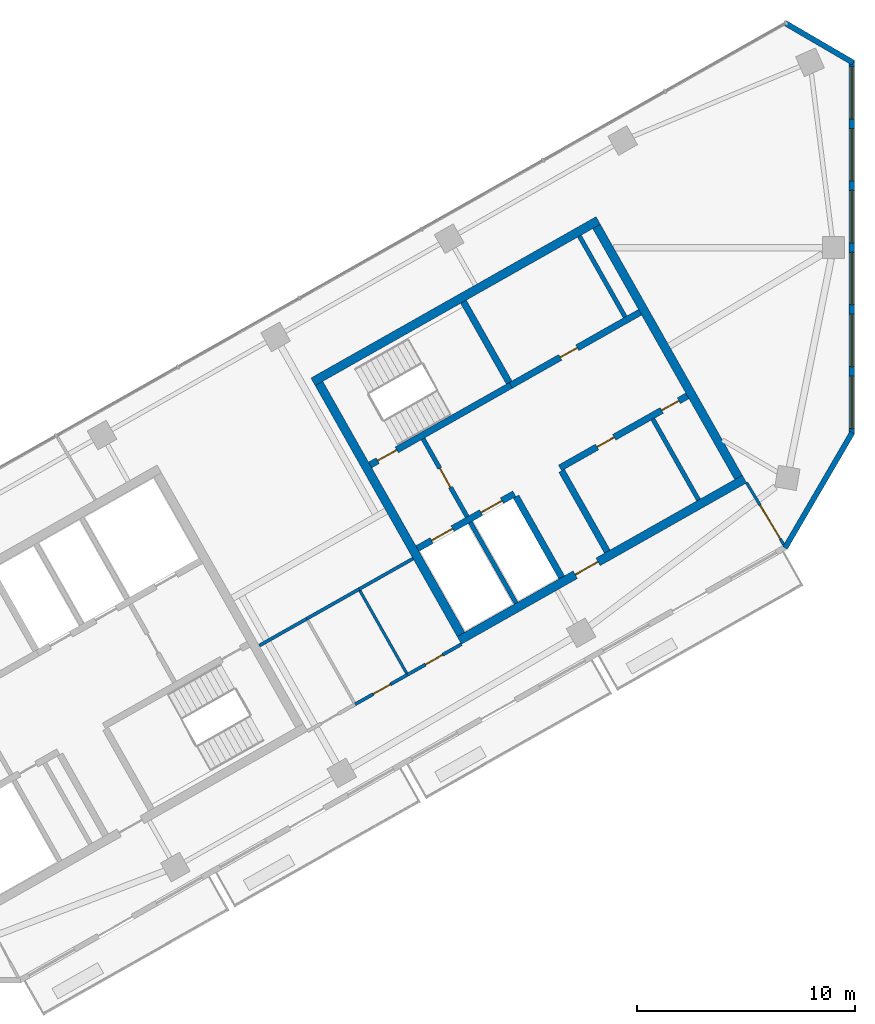
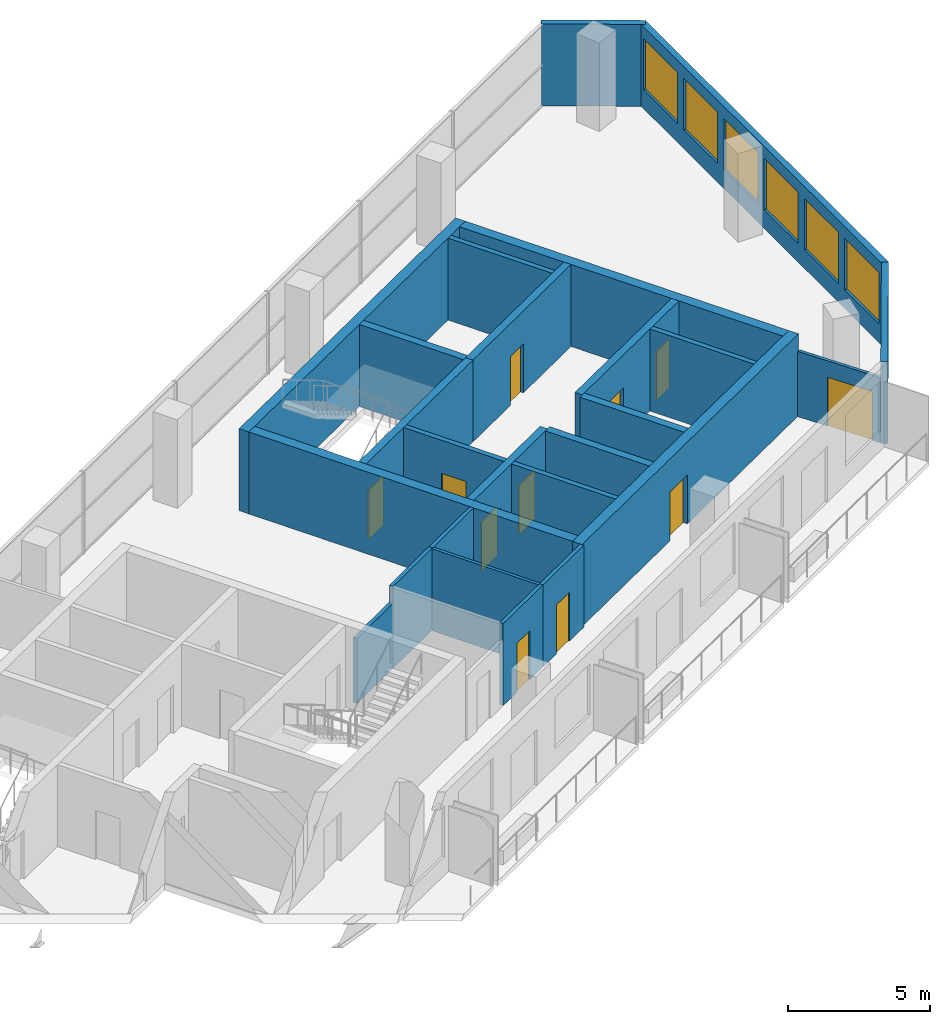
# One storey, part 7 of 10: 25 walls, 11 doors, 6 windows, 17 openings.
"""IFC4 building model written with IfcOpenShell, lengths in metres."""

from ifc_helpers import new_model, si_unit, direction, frame, frame_2d, origin, place, context, subcontext, project, spatial, rectangle, extrude, material, layer, layer_set, type_object, element, fill, save


model = new_model("IFC4")

# Units and contexts
model_context = context("Model", 3, precision=1e-05, world=origin(), true_north=direction((0.0, 1.0)))
body_context = subcontext(model_context, "Body", "Model", "MODEL_VIEW")
ifc_project = project(units=[si_unit("LENGTHUNIT", "METRE"), si_unit("AREAUNIT", "SQUARE_METRE"), si_unit("VOLUMEUNIT", "CUBIC_METRE"), si_unit("PLANEANGLEUNIT", "RADIAN"), si_unit("MASSUNIT", "GRAM", prefix="KILO")], contexts=[model_context])

# Site, building, storey
site_placement = place(None, origin())
site = spatial("IfcSite", under=ifc_project, at=site_placement, CompositionType="ELEMENT")
building_placement = place(site_placement, origin())
building = spatial("IfcBuilding", under=site, at=building_placement, Name="Binnacle Exchange Tower", CompositionType="ELEMENT")
storey_placement = place(building_placement, frame((0.0, 0.0, 327.89990234375)))
storey = spatial("IfcBuildingStorey", under=building, at=storey_placement, Name="L74", CompositionType="ELEMENT", Elevation=327.89990234375)

# Wall
ifc_material_1 = material(Name="Gypsum partition fire rated")
ifc_layer_1 = layer(ifc_material_1, 0.199951171875)
ifc_layer_set_1 = layer_set([ifc_layer_1], Name="Core partition 200")
wall_type_1 = type_object("IfcWallType", Name="Core partition 200", PredefinedType="PARTITIONING", material=ifc_layer_set_1)
wall_1_placement = place(storey_placement, frame((-9.11279296875, 52.14404296875, 0.0), z_axis=(0.0, 0.0, 1.0), x_axis=(0.492422543467, -0.870356271124, 0.0)))
element("IfcWall", 1, at=wall_1_placement, inside=storey, type_object=wall_type_1, Name="Core wall CRWC22", PredefinedType="PARTITIONING", context=body_context, shape_type="SweptSolid", body=[
    extrude(rectangle(XDim=4.25, YDim=0.199951171875, at=frame_2d((2.125, 0.0))), origin(), (0.0, 0.0, 1.0), 3.52001953125),
])

# Wall, openings, doors
ifc_material_2 = material(Name="Concrete C70/85", Category="concrete")
ifc_layer_2 = layer(ifc_material_2, 0.300048828125)
ifc_layer_set_2 = layer_set([ifc_layer_2], Name="Core wall - front 300")
wall_type_2 = type_object("IfcWallType", Name="Core wall - front 300", PredefinedType="SOLIDWALL", material=ifc_layer_set_2)
wall_2_placement = place(storey_placement, frame((-19.89208984375, 46.2177734375, 0.0), z_axis=(0.0, 0.0, 1.0), x_axis=(0.870341639186, 0.492448404505, 0.0)))
wall_2 = element("IfcWall", 2, at=wall_2_placement, inside=storey, type_object=wall_type_2, Name="Core wall CRWC2", PredefinedType="SOLIDWALL", context=body_context, shape_type="SweptSolid", body=[
    extrude(rectangle(XDim=5.099853515625, YDim=0.300048828125, at=frame_2d((2.5498046875, 0.0))), origin(), (0.0, 0.0, 1.0), 3.52001953125),
])
opening_1_placement = place(wall_2_placement, frame((0.75, 0.0, 0.0)))
opening_1 = element("IfcOpeningElement", 3, at=opening_1_placement, cuts=wall_2, Name="Opening LD14", PredefinedType="OPENING", context=body_context, shape_type="SweptSolid", body=[
    extrude(rectangle(XDim=1.10009765625, YDim=2.10009765625, at=frame_2d((0.550048828125, 1.050048828125))), frame((0.0, 0.159912109375, 0.0), z_axis=(0.0, -1.0, 0.0), x_axis=(1.0, 0.0, 0.0)), (0.0, 0.0, 1.0), 0.320068359375),
])
opening_2_placement = place(wall_2_placement, frame((3.35009765625, 0.0, 0.0)))
opening_2 = element("IfcOpeningElement", 4, at=opening_2_placement, cuts=wall_2, Name="Opening LD11", PredefinedType="OPENING", context=body_context, shape_type="SweptSolid", body=[
    extrude(rectangle(XDim=1.10009765625, YDim=2.10009765625, at=frame_2d((0.550048828125, 1.050048828125))), frame((0.0, 0.159912109375, 0.0), z_axis=(0.0, -1.0, 0.0), x_axis=(1.0, 0.0, 0.0)), (0.0, 0.0, 1.0), 0.320068359375),
])
ifc_material_3 = material(Name="Steel door leaf", Category="steel")
door_type_1 = type_object("IfcDoorType", Name="Fire door - lift landing 1100", OperationType="NOTDEFINED", PredefinedType="DOOR", material=ifc_material_3)
door_1_placement = place(opening_1_placement, origin())
door_1 = element("IfcDoor", 5, at=door_1_placement, inside=storey, type_object=door_type_1, Name="Landing door LD14 L74", OperationType="DOUBLE_DOOR_SLIDING", OverallHeight=2.10009765625, OverallWidth=1.10009765625, PredefinedType="DOOR", context=body_context, shape_type="SweptSolid", body=[
    extrude(rectangle(XDim=1.10009765625, YDim=2.10009765625, at=frame_2d((0.550048828125, 1.050048828125))), frame((0.0, 0.02490234375, 0.0), z_axis=(0.0, -1.0, 0.0), x_axis=(1.0, 0.0, 0.0)), (0.0, 0.0, 1.0), 0.050048828125),
])
fill(opening_1, door_1)
door_2_placement = place(opening_2_placement, origin())
door_2 = element("IfcDoor", 6, at=door_2_placement, inside=storey, type_object=door_type_1, Name="Landing door LD11 L74", OperationType="DOUBLE_DOOR_SLIDING", OverallHeight=2.10009765625, OverallWidth=1.10009765625, PredefinedType="DOOR", context=body_context, shape_type="SweptSolid", body=[
    extrude(rectangle(XDim=1.10009765625, YDim=2.10009765625, at=frame_2d((0.550048828125, 1.050048828125))), frame((0.0, 0.02490234375, 0.0), z_axis=(0.0, -1.0, 0.0), x_axis=(1.0, 0.0, 0.0)), (0.0, 0.0, 1.0), 0.050048828125),
])
fill(opening_2, door_2)

wall_3_placement = place(storey_placement, frame((-13.364501953125, 49.910888671875, 0.0), z_axis=(0.0, 0.0, 1.0), x_axis=(0.870347618718, 0.492437836272, 0.0)))
wall_3 = element("IfcWall", 7, at=wall_3_placement, inside=storey, type_object=wall_type_2, Name="Core wall CRWC3", PredefinedType="SOLIDWALL", context=body_context, shape_type="SweptSolid", body=[
    extrude(rectangle(XDim=6.699951171875, YDim=0.300048828125, at=frame_2d((3.35009765625, 0.0))), origin(), (0.0, 0.0, 1.0), 3.52001953125),
])
opening_3_placement = place(wall_3_placement, frame((1.949951171875, 0.0, 0.0)))
opening_3 = element("IfcOpeningElement", 8, at=opening_3_placement, cuts=wall_3, Name="Opening DC18", PredefinedType="OPENING", context=body_context, shape_type="SweptSolid", body=[
    extrude(rectangle(XDim=0.89990234375, YDim=2.10009765625, at=frame_2d((0.449951171875, 1.050048828125))), frame((0.0, 0.159912109375, 0.0), z_axis=(0.0, -1.0, 0.0), x_axis=(1.0, 0.0, 0.0)), (0.0, 0.0, 1.0), 0.320068359375),
])
opening_4_placement = place(wall_3_placement, frame((5.35009765625, 0.0, 0.0)))
opening_4 = element("IfcOpeningElement", 9, at=opening_4_placement, cuts=wall_3, Name="Opening DC19", PredefinedType="OPENING", context=body_context, shape_type="SweptSolid", body=[
    extrude(rectangle(XDim=0.89990234375, YDim=2.10009765625, at=frame_2d((0.449951171875, 1.050048828125))), frame((0.0, 0.159912109375, 0.0), z_axis=(0.0, -1.0, 0.0), x_axis=(1.0, 0.0, 0.0)), (0.0, 0.0, 1.0), 0.320068359375),
])
door_type_2 = type_object("IfcDoorType", Name="Fire door 900", OperationType="NOTDEFINED", PredefinedType="DOOR", material=ifc_material_3)
door_3_placement = place(opening_3_placement, frame((0.89990234375, 0.0, 0.0), z_axis=(0.0, 0.0, 1.0), x_axis=(-1.0, 0.0, 0.0)))
door_3 = element("IfcDoor", 10, at=door_3_placement, inside=storey, type_object=door_type_2, Name="Core room door TELECOM RISER ROOM", OperationType="SINGLE_SWING_RIGHT", OverallHeight=2.10009765625, OverallWidth=0.89990234375, PredefinedType="DOOR", context=body_context, shape_type="SweptSolid", body=[
    extrude(rectangle(XDim=0.89990234375, YDim=2.10009765625, at=frame_2d((0.449951171875, 1.050048828125))), frame((0.0, 0.02490234375, 0.0), z_axis=(0.0, -1.0, 0.0), x_axis=(1.0, 0.0, 0.0)), (0.0, 0.0, 1.0), 0.050048828125),
])
fill(opening_3, door_3)
door_4_placement = place(opening_4_placement, frame((0.89990234375, 0.0, 0.0), z_axis=(0.0, 0.0, 1.0), x_axis=(-1.0, 0.0, 0.0)))
door_4 = element("IfcDoor", 11, at=door_4_placement, inside=storey, type_object=door_type_2, Name="Core room door FIBRE ENTRY ROOM", OperationType="SINGLE_SWING_LEFT", OverallHeight=2.10009765625, OverallWidth=0.89990234375, PredefinedType="DOOR", context=body_context, shape_type="SweptSolid", body=[
    extrude(rectangle(XDim=0.89990234375, YDim=2.10009765625, at=frame_2d((0.449951171875, 1.050048828125))), frame((0.0, 0.02490234375, 0.0), z_axis=(0.0, -1.0, 0.0), x_axis=(1.0, 0.0, 0.0)), (0.0, 0.0, 1.0), 0.050048828125),
])
fill(opening_4, door_4)

# Wall, opening, door
wall_4_placement = place(storey_placement, frame((-15.6181640625, 53.69140625, 0.0), z_axis=(0.0, 0.0, 1.0), x_axis=(0.870362830851, 0.492410948978, 0.0)))
wall_4 = element("IfcWall", 12, at=wall_4_placement, inside=storey, type_object=wall_type_2, Name="Core wall CRWC5", PredefinedType="SOLIDWALL", context=body_context, shape_type="SweptSolid", body=[
    extrude(rectangle(XDim=6.800048828125, YDim=0.300048828125, at=frame_2d((3.39990234375, 0.0))), origin(), (0.0, 0.0, 1.0), 3.52001953125),
])
opening_5_placement = place(wall_4_placement, frame((2.60009765625, 0.0, 0.0)))
opening_5 = element("IfcOpeningElement", 13, at=opening_5_placement, cuts=wall_4, Name="Opening DC10", PredefinedType="OPENING", context=body_context, shape_type="SweptSolid", body=[
    extrude(rectangle(XDim=0.89990234375, YDim=2.10009765625, at=frame_2d((0.449951171875, 1.050048828125))), frame((0.0, 0.159912109375, 0.0), z_axis=(0.0, -1.0, 0.0), x_axis=(1.0, 0.0, 0.0)), (0.0, 0.0, 1.0), 0.320068359375),
])
door_5_placement = place(opening_5_placement, origin())
door_5 = element("IfcDoor", 14, at=door_5_placement, inside=storey, type_object=door_type_2, Name="Core room door SPARES STORE", OperationType="SINGLE_SWING_LEFT", OverallHeight=2.10009765625, OverallWidth=0.89990234375, PredefinedType="DOOR", context=body_context, shape_type="SweptSolid", body=[
    extrude(rectangle(XDim=0.89990234375, YDim=2.10009765625, at=frame_2d((0.449951171875, 1.050048828125))), frame((0.0, 0.02490234375, 0.0), z_axis=(0.0, -1.0, 0.0), x_axis=(1.0, 0.0, 0.0)), (0.0, 0.0, 1.0), 0.050048828125),
])
fill(opening_5, door_5)

# Walls
wall_5_placement = place(storey_placement, frame((-15.37939453125, 48.5986328125, 0.0), z_axis=(0.0, 0.0, 1.0), x_axis=(0.492422543467, -0.870356271124, 0.0)))
element("IfcWall", 15, at=wall_5_placement, inside=storey, type_object=wall_type_2, Name="Core wall CRWC13", PredefinedType="SOLIDWALL", context=body_context, shape_type="SweptSolid", body=[
    extrude(rectangle(XDim=4.25, YDim=0.300048828125, at=frame_2d((2.125, 0.0))), origin(), (0.0, 0.0, 1.0), 3.52001953125),
])
wall_6_placement = place(storey_placement, frame((-13.29052734375, 49.780517578125, 0.0), z_axis=(0.0, 0.0, 1.0), x_axis=(0.492397924348, -0.870370199454, 0.0)))
element("IfcWall", 16, at=wall_6_placement, inside=storey, type_object=wall_type_2, Name="Core wall CRWC15", PredefinedType="SOLIDWALL", context=body_context, shape_type="SweptSolid", body=[
    extrude(rectangle(XDim=4.250244140625, YDim=0.300048828125, at=frame_2d((2.125, 0.0))), origin(), (0.0, 0.0, 1.0), 3.52001953125),
])

# Wall, opening, door
ifc_layer_3 = layer(ifc_material_2, 0.39990234375)
ifc_layer_set_3 = layer_set([ifc_layer_3], Name="Core wall - outer 400")
wall_type_3 = type_object("IfcWallType", Name="Core wall - outer 400", PredefinedType="SOLIDWALL", material=ifc_layer_set_3)
wall_7_placement = place(storey_placement, frame((-17.97509765625, 42.01708984375, 0.0), z_axis=(0.0, 0.0, 1.0), x_axis=(0.87034965173, 0.492434243055, 0.0)))
wall_7 = element("IfcWall", 17, at=wall_7_placement, inside=storey, type_object=wall_type_3, Name="Core wall CRWC1", PredefinedType="SOLIDWALL", context=body_context, shape_type="SweptSolid", body=[
    extrude(rectangle(XDim=15.0, YDim=0.39990234375, at=frame_2d((7.5, 0.0))), origin(), (0.0, 0.0, 1.0), 3.52001953125),
])
opening_6_placement = place(wall_7_placement, frame((6.10009765625, 0.0, 0.0)))
opening_6 = element("IfcOpeningElement", 18, at=opening_6_placement, cuts=wall_7, Name="Opening DC7", PredefinedType="OPENING", context=body_context, shape_type="SweptSolid", body=[
    extrude(rectangle(XDim=1.199951171875, YDim=2.10009765625, at=frame_2d((0.60009765625, 1.050048828125))), frame((0.0, 0.2099609375, 0.0), z_axis=(0.0, -1.0, 0.0), x_axis=(1.0, 0.0, 0.0)), (0.0, 0.0, 1.0), 0.419921875),
])
door_type_3 = type_object("IfcDoorType", Name="Fire door 1200", OperationType="NOTDEFINED", PredefinedType="DOOR", material=ifc_material_3)
door_6_placement = place(opening_6_placement, frame((1.199951171875, 0.0, 0.0), z_axis=(0.0, 0.0, 1.0), x_axis=(-1.0, 0.0, 0.0)))
door_6 = element("IfcDoor", 19, at=door_6_placement, inside=storey, type_object=door_type_3, Name="Lift lobby entrance door core C", OperationType="SINGLE_SWING_RIGHT", OverallHeight=2.10009765625, OverallWidth=1.199951171875, PredefinedType="DOOR", context=body_context, shape_type="SweptSolid", body=[
    extrude(rectangle(XDim=1.199951171875, YDim=2.10009765625, at=frame_2d((0.60009765625, 1.050048828125))), frame((0.0, 0.02490234375, 0.0), z_axis=(0.0, -1.0, 0.0), x_axis=(1.0, 0.0, 0.0)), (0.0, 0.0, 1.0), 0.050048828125),
])
fill(opening_6, door_6)

# Walls
wall_8_placement = place(storey_placement, frame((-24.672119140625, 53.85400390625, 0.0), z_axis=(0.0, 0.0, 1.0), x_axis=(0.870353598469, 0.492427267353, 0.0)))
element("IfcWall", 20, at=wall_8_placement, inside=storey, type_object=wall_type_3, Name="Core wall CRWC6", PredefinedType="SOLIDWALL", context=body_context, shape_type="SweptSolid", body=[
    extrude(rectangle(XDim=15.000244140625, YDim=0.39990234375, at=frame_2d((7.5, 0.0))), origin(), (0.0, 0.0, 1.0), 3.52001953125),
])
for number, where, z_axis, x_axis, name in (
    (21, (-24.399658203125, 53.778564453125, 0.0), (0.0, 0.0, 1.0), (0.492421663121, -0.870356769198, 0.0), "Core wall CRWC7"),
    (22, (-11.6923828125, 60.968017578125, 0.0), (0.0, 0.0, 1.0), (0.492421663121, -0.870356769198, 0.0), "Core wall CRWC24"),
):
    element("IfcWall", number, at=place(storey_placement, frame(where, z_axis=z_axis, x_axis=x_axis)), inside=storey, type_object=wall_type_3, Name=name, PredefinedType="SOLIDWALL", context=body_context, shape_type="SweptSolid", body=[
        extrude(rectangle(XDim=13.199951171875, YDim=0.39990234375, at=frame_2d((6.60009765625, 0.0))), origin(), (0.0, 0.0, 1.0), 3.52001953125),
    ])

# Wall, opening, door
ifc_layer_4 = layer(ifc_material_2, 0.300048828125)
ifc_layer_set_4 = layer_set([ifc_layer_4], Name="Core wall - stair 300")
wall_type_4 = type_object("IfcWallType", Name="Core wall - stair 300", PredefinedType="SOLIDWALL", material=ifc_layer_set_4)
wall_9_placement = place(storey_placement, frame((-22.058837890625, 50.04736328125, 0.0), z_axis=(0.0, 0.0, 1.0), x_axis=(0.87035077051, 0.49243226567, 0.0)))
wall_9 = element("IfcWall", 23, at=wall_9_placement, inside=storey, type_object=wall_type_4, Name="Core wall CRWC4", PredefinedType="SOLIDWALL", context=body_context, shape_type="SweptSolid", body=[
    extrude(rectangle(XDim=7.400146484375, YDim=0.300048828125, at=frame_2d((3.7001953125, 0.0))), origin(), (0.0, 0.0, 1.0), 3.52001953125),
])
opening_7_placement = place(wall_9_placement, frame((0.39990234375, 0.0, 0.0)))
opening_7 = element("IfcOpeningElement", 24, at=opening_7_placement, cuts=wall_9, Name="Opening DC1", PredefinedType="OPENING", context=body_context, shape_type="SweptSolid", body=[
    extrude(rectangle(XDim=1.0, YDim=2.10009765625, at=frame_2d((0.5, 1.050048828125))), frame((0.0, 0.159912109375, 0.0), z_axis=(0.0, -1.0, 0.0), x_axis=(1.0, 0.0, 0.0)), (0.0, 0.0, 1.0), 0.320068359375),
])
door_type_4 = type_object("IfcDoorType", Name="Fire door 1000", OperationType="NOTDEFINED", PredefinedType="DOOR", material=ifc_material_3)
door_7_placement = place(opening_7_placement, origin())
door_7 = element("IfcDoor", 25, at=door_7_placement, inside=storey, type_object=door_type_4, Name="Stair door ST-C1", OperationType="SINGLE_SWING_LEFT", OverallHeight=2.10009765625, OverallWidth=1.0, PredefinedType="DOOR", context=body_context, shape_type="SweptSolid", body=[
    extrude(rectangle(XDim=1.0, YDim=2.10009765625, at=frame_2d((0.5, 1.050048828125))), frame((0.0, 0.02490234375, 0.0), z_axis=(0.0, -1.0, 0.0), x_axis=(1.0, 0.0, 0.0)), (0.0, 0.0, 1.0), 0.050048828125),
])
fill(opening_7, door_7)

# Walls
wall_10_placement = place(storey_placement, frame((-17.784912109375, 57.52099609375, 0.0), z_axis=(0.0, 0.0, 1.0), x_axis=(0.492422543467, -0.870356271124, 0.0)))
element("IfcWall", 26, at=wall_10_placement, inside=storey, type_object=wall_type_4, Name="Core wall CRWC14", PredefinedType="SOLIDWALL", context=body_context, shape_type="SweptSolid", body=[
    extrude(rectangle(XDim=4.25, YDim=0.300048828125, at=frame_2d((2.125, 0.0))), origin(), (0.0, 0.0, 1.0), 3.52001953125),
])
ifc_material_4 = material(Name="Bronze aluminium cladding", Category="aluminium")
ifc_layer_5 = layer(ifc_material_4, 0.25)
ifc_layer_set_5 = layer_set([ifc_layer_5], Name="External wall - window wall 250")
wall_type_5 = type_object("IfcWallType", Name="External wall - window wall 250", PredefinedType="STANDARD", material=ifc_layer_set_5)
wall_11_placement = place(storey_placement, frame((0.01708984375, 51.529296875, 0.0), z_axis=(0.0, 0.0, 1.0), x_axis=(-0.503769237131, -0.863838269424, 0.0)))
element("IfcWall", 27, at=wall_11_placement, inside=storey, type_object=wall_type_5, Name="External wall EW-H00 L74", PredefinedType="STANDARD", context=body_context, shape_type="SweptSolid", body=[
    extrude(rectangle(XDim=6.114501953125, YDim=0.25, at=frame_2d((3.05712890625, 0.0))), origin(), (0.0, 0.0, 1.0), 3.52001953125),
])

# Wall, openings, windows
wall_12_placement = place(storey_placement, frame((0.0, 68.57177734375, 0.0), z_axis=(0.0, 0.0, 1.0), x_axis=(0.0, -1.0, 0.0)))
wall_12 = element("IfcWall", 28, at=wall_12_placement, inside=storey, type_object=wall_type_5, Name="External wall EW-H01 L74", PredefinedType="STANDARD", context=body_context, shape_type="SweptSolid", body=[
    extrude(rectangle(XDim=17.10546875, YDim=0.25, at=frame_2d((8.552734375, 0.0))), origin(), (0.0, 0.0, 1.0), 3.52001953125),
])
opening_8_placement = place(wall_12_placement, frame((14.455078125, 0.0, 0.800048828125)))
opening_8 = element("IfcOpeningElement", 29, at=opening_8_placement, cuts=wall_12, Name="Opening WR2", PredefinedType="OPENING", context=body_context, shape_type="SweptSolid", body=[
    extrude(rectangle(XDim=2.39990234375, YDim=2.199951171875, at=frame_2d((1.199951171875, 1.10009765625))), frame((0.0, 0.135009765625, 0.0), z_axis=(0.0, -1.0, 0.0), x_axis=(1.0, 0.0, 0.0)), (0.0, 0.0, 1.0), 0.27001953125),
])
opening_9_placement = place(wall_12_placement, frame((11.621826171875, 0.0, 0.800048828125)))
opening_9 = element("IfcOpeningElement", 30, at=opening_9_placement, cuts=wall_12, Name="Opening WR2", PredefinedType="OPENING", context=body_context, shape_type="SweptSolid", body=[
    extrude(rectangle(XDim=2.39990234375, YDim=2.199951171875, at=frame_2d((1.199951171875, 1.10009765625))), frame((0.0, 0.135009765625, 0.0), z_axis=(0.0, -1.0, 0.0), x_axis=(1.0, 0.0, 0.0)), (0.0, 0.0, 1.0), 0.27001953125),
])
opening_10_placement = place(wall_12_placement, frame((8.78857421875, 0.0, 0.800048828125)))
opening_10 = element("IfcOpeningElement", 31, at=opening_10_placement, cuts=wall_12, Name="Opening WR2", PredefinedType="OPENING", context=body_context, shape_type="SweptSolid", body=[
    extrude(rectangle(XDim=2.39990234375, YDim=2.199951171875, at=frame_2d((1.199951171875, 1.10009765625))), frame((0.0, 0.135009765625, 0.0), z_axis=(0.0, -1.0, 0.0), x_axis=(1.0, 0.0, 0.0)), (0.0, 0.0, 1.0), 0.27001953125),
])
opening_11_placement = place(wall_12_placement, frame((5.955078125, 0.0, 0.800048828125)))
opening_11 = element("IfcOpeningElement", 32, at=opening_11_placement, cuts=wall_12, Name="Opening WR2", PredefinedType="OPENING", context=body_context, shape_type="SweptSolid", body=[
    extrude(rectangle(XDim=2.39990234375, YDim=2.199951171875, at=frame_2d((1.199951171875, 1.10009765625))), frame((0.0, 0.135009765625, 0.0), z_axis=(0.0, -1.0, 0.0), x_axis=(1.0, 0.0, 0.0)), (0.0, 0.0, 1.0), 0.27001953125),
])
opening_12_placement = place(wall_12_placement, frame((3.121826171875, 0.0, 0.800048828125)))
opening_12 = element("IfcOpeningElement", 33, at=opening_12_placement, cuts=wall_12, Name="Opening WR2", PredefinedType="OPENING", context=body_context, shape_type="SweptSolid", body=[
    extrude(rectangle(XDim=2.39990234375, YDim=2.199951171875, at=frame_2d((1.199951171875, 1.10009765625))), frame((0.0, 0.135009765625, 0.0), z_axis=(0.0, -1.0, 0.0), x_axis=(1.0, 0.0, 0.0)), (0.0, 0.0, 1.0), 0.27001953125),
])
opening_13_placement = place(wall_12_placement, frame((0.28857421875, 0.0, 0.800048828125)))
opening_13 = element("IfcOpeningElement", 34, at=opening_13_placement, cuts=wall_12, Name="Opening WR2", PredefinedType="OPENING", context=body_context, shape_type="SweptSolid", body=[
    extrude(rectangle(XDim=2.39990234375, YDim=2.199951171875, at=frame_2d((1.199951171875, 1.10009765625))), frame((0.0, 0.135009765625, 0.0), z_axis=(0.0, -1.0, 0.0), x_axis=(1.0, 0.0, 0.0)), (0.0, 0.0, 1.0), 0.27001953125),
])
ifc_material_5 = material(Name="Bronze anodised aluminium frame", Category="aluminium")
window_type = type_object("IfcWindowType", Name="WR2 WINDOW 2400x2200", PartitioningType="SINGLE_PANEL", PredefinedType="WINDOW", material=ifc_material_5)
window_1_placement = place(opening_8_placement, origin())
window_1 = element("IfcWindow", 35, at=window_1_placement, inside=storey, type_object=window_type, Name="Window WR2 L74", OverallHeight=2.199951171875, OverallWidth=2.39990234375, PartitioningType="SINGLE_PANEL", PredefinedType="WINDOW", context=body_context, shape_type="SweptSolid", body=[
    extrude(rectangle(XDim=2.39990234375, YDim=2.199951171875, at=frame_2d((1.199951171875, 1.10009765625))), frame((0.0, 0.030029296875, 0.0), z_axis=(0.0, -1.0, 0.0), x_axis=(1.0, 0.0, 0.0)), (0.0, 0.0, 1.0), 0.06005859375),
])
fill(opening_8, window_1)
window_2_placement = place(opening_9_placement, origin())
window_2 = element("IfcWindow", 36, at=window_2_placement, inside=storey, type_object=window_type, Name="Window WR2 L74", OverallHeight=2.199951171875, OverallWidth=2.39990234375, PartitioningType="SINGLE_PANEL", PredefinedType="WINDOW", context=body_context, shape_type="SweptSolid", body=[
    extrude(rectangle(XDim=2.39990234375, YDim=2.199951171875, at=frame_2d((1.199951171875, 1.10009765625))), frame((0.0, 0.030029296875, 0.0), z_axis=(0.0, -1.0, 0.0), x_axis=(1.0, 0.0, 0.0)), (0.0, 0.0, 1.0), 0.06005859375),
])
fill(opening_9, window_2)
window_3_placement = place(opening_10_placement, origin())
window_3 = element("IfcWindow", 37, at=window_3_placement, inside=storey, type_object=window_type, Name="Window WR2 L74", OverallHeight=2.199951171875, OverallWidth=2.39990234375, PartitioningType="SINGLE_PANEL", PredefinedType="WINDOW", context=body_context, shape_type="SweptSolid", body=[
    extrude(rectangle(XDim=2.39990234375, YDim=2.199951171875, at=frame_2d((1.199951171875, 1.10009765625))), frame((0.0, 0.030029296875, 0.0), z_axis=(0.0, -1.0, 0.0), x_axis=(1.0, 0.0, 0.0)), (0.0, 0.0, 1.0), 0.06005859375),
])
fill(opening_10, window_3)
window_4_placement = place(opening_11_placement, origin())
window_4 = element("IfcWindow", 38, at=window_4_placement, inside=storey, type_object=window_type, Name="Window WR2 L74", OverallHeight=2.199951171875, OverallWidth=2.39990234375, PartitioningType="SINGLE_PANEL", PredefinedType="WINDOW", context=body_context, shape_type="SweptSolid", body=[
    extrude(rectangle(XDim=2.39990234375, YDim=2.199951171875, at=frame_2d((1.199951171875, 1.10009765625))), frame((0.0, 0.030029296875, 0.0), z_axis=(0.0, -1.0, 0.0), x_axis=(1.0, 0.0, 0.0)), (0.0, 0.0, 1.0), 0.06005859375),
])
fill(opening_11, window_4)
window_5_placement = place(opening_12_placement, origin())
window_5 = element("IfcWindow", 39, at=window_5_placement, inside=storey, type_object=window_type, Name="Window WR2 L74", OverallHeight=2.199951171875, OverallWidth=2.39990234375, PartitioningType="SINGLE_PANEL", PredefinedType="WINDOW", context=body_context, shape_type="SweptSolid", body=[
    extrude(rectangle(XDim=2.39990234375, YDim=2.199951171875, at=frame_2d((1.199951171875, 1.10009765625))), frame((0.0, 0.030029296875, 0.0), z_axis=(0.0, -1.0, 0.0), x_axis=(1.0, 0.0, 0.0)), (0.0, 0.0, 1.0), 0.06005859375),
])
fill(opening_12, window_5)
window_6_placement = place(opening_13_placement, origin())
window_6 = element("IfcWindow", 40, at=window_6_placement, inside=storey, type_object=window_type, Name="Window WR2 L74", OverallHeight=2.199951171875, OverallWidth=2.39990234375, PartitioningType="SINGLE_PANEL", PredefinedType="WINDOW", context=body_context, shape_type="SweptSolid", body=[
    extrude(rectangle(XDim=2.39990234375, YDim=2.199951171875, at=frame_2d((1.199951171875, 1.10009765625))), frame((0.0, 0.030029296875, 0.0), z_axis=(0.0, -1.0, 0.0), x_axis=(1.0, 0.0, 0.0)), (0.0, 0.0, 1.0), 0.06005859375),
])
fill(opening_13, window_6)

# Wall
wall_13_placement = place(storey_placement, frame((-3.108154296875, 70.312744140625, 0.0), z_axis=(0.0, 0.0, 1.0), x_axis=(0.86382474085, -0.503792434536, 0.0)))
element("IfcWall", 41, at=wall_13_placement, inside=storey, type_object=wall_type_5, Name="External wall EW-H02 L74", PredefinedType="STANDARD", context=body_context, shape_type="SweptSolid", body=[
    extrude(rectangle(XDim=3.669921875, YDim=0.25, at=frame_2d((1.8349609375, 0.0))), origin(), (0.0, 0.0, 1.0), 3.52001953125),
])

# Wall, opening, door
ifc_material_6 = material(Name="Masonry block wall", Category="masonry")
ifc_layer_6 = layer(ifc_material_6, 0.199951171875)
ifc_layer_set_6 = layer_set([ifc_layer_6], Name="Fire wall - vestibule 200")
wall_type_6 = type_object("IfcWallType", Name="Fire wall - vestibule 200", PredefinedType="PARTITIONING", material=ifc_layer_set_6)
wall_14_placement = place(storey_placement, frame((-19.635009765625, 51.246337890625, 0.0), z_axis=(0.0, 0.0, 1.0), x_axis=(0.492408451753, -0.87036424366, 0.0)))
wall_14 = element("IfcWall", 42, at=wall_14_placement, inside=storey, type_object=wall_type_6, Name="Core wall CRWC10", PredefinedType="PARTITIONING", context=body_context, shape_type="SweptSolid", body=[
    extrude(rectangle(XDim=4.099853515625, YDim=0.199951171875, at=frame_2d((2.0498046875, 0.0))), origin(), (0.0, 0.0, 1.0), 3.52001953125),
])
opening_14_placement = place(wall_14_placement, frame((1.550048828125, 0.0, 0.0)))
opening_14 = element("IfcOpeningElement", 43, at=opening_14_placement, cuts=wall_14, Name="Opening DC3", PredefinedType="OPENING", context=body_context, shape_type="SweptSolid", body=[
    extrude(rectangle(XDim=1.0, YDim=2.10009765625, at=frame_2d((0.5, 1.050048828125))), frame((0.0, 0.10986328125, 0.0), z_axis=(0.0, -1.0, 0.0), x_axis=(1.0, 0.0, 0.0)), (0.0, 0.0, 1.0), 0.219970703125),
])
door_8_placement = place(opening_14_placement, frame((1.0, 0.0, 0.0), z_axis=(0.0, 0.0, 1.0), x_axis=(-1.0, 0.0, 0.0)))
door_8 = element("IfcDoor", 44, at=door_8_placement, inside=storey, type_object=door_type_4, Name="Vestibule door VEST-W", OperationType="SINGLE_SWING_RIGHT", OverallHeight=2.10009765625, OverallWidth=1.0, PredefinedType="DOOR", context=body_context, shape_type="SweptSolid", body=[
    extrude(rectangle(XDim=1.0, YDim=2.10009765625, at=frame_2d((0.5, 1.050048828125))), frame((0.0, 0.02490234375, 0.0), z_axis=(0.0, -1.0, 0.0), x_axis=(1.0, 0.0, 0.0)), (0.0, 0.0, 1.0), 0.050048828125),
])
fill(opening_14, door_8)

# Walls
ifc_layer_7 = layer(ifc_material_1, 0.14990234375)
ifc_layer_set_7 = layer_set([ifc_layer_7], Name="Fire-rated partition 150")
wall_type_7 = type_object("IfcWallType", Name="Fire-rated partition 150", PredefinedType="PARTITIONING", material=ifc_layer_set_7)
wall_15_placement = place(storey_placement, frame((-27.134033203125, 41.77587890625, 0.0), z_axis=(0.0, 0.0, 1.0), x_axis=(0.870249744125, 0.492610782312, 0.0)))
element("IfcWall", 45, at=wall_15_placement, inside=storey, type_object=wall_type_7, Name="Partition W03", PredefinedType="PARTITIONING", context=body_context, shape_type="SweptSolid", body=[
    extrude(rectangle(XDim=2.499267578125, YDim=0.14990234375, at=frame_2d((1.24951171875, 0.0))), origin(), (0.0, 0.0, 1.0), 2.7919921875),
])
wall_16_placement = place(storey_placement, frame((-24.958984375, 43.007080078125, 0.0), z_axis=(0.0, 0.0, 1.0), x_axis=(0.870430549821, 0.492291232848, 0.0)))
element("IfcWall", 46, at=wall_16_placement, inside=storey, type_object=wall_type_7, Name="Partition W05", PredefinedType="PARTITIONING", context=body_context, shape_type="SweptSolid", body=[
    extrude(rectangle(XDim=2.75048828125, YDim=0.14990234375, at=frame_2d((1.375244140625, 0.0))), origin(), (0.0, 0.0, 1.0), 3.52001953125),
])

# Wall, opening, door
wall_17_placement = place(storey_placement, frame((-22.742919921875, 39.090087890625, 0.0), z_axis=(0.0, 0.0, 1.0), x_axis=(0.870409035047, 0.492329271634, 0.0)))
wall_17 = element("IfcWall", 47, at=wall_17_placement, inside=storey, type_object=wall_type_7, Name="Partition W07", PredefinedType="PARTITIONING", context=body_context, shape_type="SweptSolid", body=[
    extrude(rectangle(XDim=2.750244140625, YDim=0.14990234375, at=frame_2d((1.375, 0.0))), origin(), (0.0, 0.0, 1.0), 3.52001953125),
])
opening_15_placement = place(wall_17_placement, frame((0.949951171875, 0.0, 0.0)))
opening_15 = element("IfcOpeningElement", 48, at=opening_15_placement, cuts=wall_17, Name="Opening DL74-02", PredefinedType="OPENING", context=body_context, shape_type="SweptSolid", body=[
    extrude(rectangle(XDim=0.89990234375, YDim=2.10009765625, at=frame_2d((0.449951171875, 1.050048828125))), frame((0.0, 0.0849609375, 0.0), z_axis=(0.0, -1.0, 0.0), x_axis=(1.0, 0.0, 0.0)), (0.0, 0.0, 1.0), 0.169921875),
])
door_9_placement = place(opening_15_placement, origin())
door_9 = element("IfcDoor", 49, at=door_9_placement, inside=storey, type_object=door_type_2, Name="Door DL74-02", OperationType="SINGLE_SWING_RIGHT", OverallHeight=2.10009765625, OverallWidth=0.89990234375, PredefinedType="DOOR", context=body_context, shape_type="SweptSolid", body=[
    extrude(rectangle(XDim=0.89990234375, YDim=2.10009765625, at=frame_2d((0.449951171875, 1.050048828125))), frame((0.0, 0.02490234375, 0.0), z_axis=(0.0, -1.0, 0.0), x_axis=(1.0, 0.0, 0.0)), (0.0, 0.0, 1.0), 0.050048828125),
])
fill(opening_15, door_9)

# Wall
wall_18_placement = place(storey_placement, frame((-22.56494140625, 44.361083984375, 0.0), z_axis=(0.0, 0.0, 1.0), x_axis=(0.87029856663, 0.492524522152, 0.0)))
element("IfcWall", 50, at=wall_18_placement, inside=storey, type_object=wall_type_7, Name="Partition W09", PredefinedType="PARTITIONING", context=body_context, shape_type="SweptSolid", body=[
    extrude(rectangle(XDim=2.84033203125, YDim=0.14990234375, at=frame_2d((1.420166015625, 0.0))), origin(), (0.0, 0.0, 1.0), 3.52001953125),
])

# Wall, opening, door
wall_19_placement = place(storey_placement, frame((-20.34912109375, 40.444091796875, 0.0), z_axis=(0.0, 0.0, 1.0), x_axis=(0.87031941539, 0.492487680247, 0.0)))
wall_19 = element("IfcWall", 51, at=wall_19_placement, inside=storey, type_object=wall_type_7, Name="Partition W10", PredefinedType="PARTITIONING", context=body_context, shape_type="SweptSolid", body=[
    extrude(rectangle(XDim=2.840576171875, YDim=0.14990234375, at=frame_2d((1.42041015625, 0.0))), origin(), (0.0, 0.0, 1.0), 3.52001953125),
])
opening_16_placement = place(wall_19_placement, frame((0.949951171875, 0.0, 0.0)))
opening_16 = element("IfcOpeningElement", 52, at=opening_16_placement, cuts=wall_19, Name="Opening DL74-03", PredefinedType="OPENING", context=body_context, shape_type="SweptSolid", body=[
    extrude(rectangle(XDim=0.89990234375, YDim=2.10009765625, at=frame_2d((0.449951171875, 1.050048828125))), frame((0.0, 0.0849609375, 0.0), z_axis=(0.0, -1.0, 0.0), x_axis=(1.0, 0.0, 0.0)), (0.0, 0.0, 1.0), 0.169921875),
])
door_10_placement = place(opening_16_placement, origin())
door_10 = element("IfcDoor", 53, at=door_10_placement, inside=storey, type_object=door_type_2, Name="Door DL74-03", OperationType="SINGLE_SWING_LEFT", OverallHeight=2.10009765625, OverallWidth=0.89990234375, PredefinedType="DOOR", context=body_context, shape_type="SweptSolid", body=[
    extrude(rectangle(XDim=0.89990234375, YDim=2.10009765625, at=frame_2d((0.449951171875, 1.050048828125))), frame((0.0, 0.02490234375, 0.0), z_axis=(0.0, -1.0, 0.0), x_axis=(1.0, 0.0, 0.0)), (0.0, 0.0, 1.0), 0.050048828125),
])
fill(opening_16, door_10)

# Wall
ifc_material_7 = material(Name="Gypsum partition")
ifc_layer_8 = layer(ifc_material_7, 0.125)
ifc_layer_set_8 = layer_set([ifc_layer_8], Name="Partition 125")
wall_type_8 = type_object("IfcWallType", Name="Partition 125", PredefinedType="PARTITIONING", material=ifc_layer_set_8)
wall_20_placement = place(storey_placement, frame((-22.56494140625, 44.361083984375, 0.0), z_axis=(0.0, 0.0, 1.0), x_axis=(0.492371842706, -0.870384954207, 0.0)))
element("IfcWall", 54, at=wall_20_placement, inside=storey, type_object=wall_type_8, Name="Partition W08", PredefinedType="PARTITIONING", context=body_context, shape_type="SweptSolid", body=[
    extrude(rectangle(XDim=4.500244140625, YDim=0.125, at=frame_2d((2.25, 0.0))), origin(), (0.0, 0.0, 1.0), 3.52001953125),
])

# Wall, opening, door
wall_21_placement = place(storey_placement, frame((-4.821044921875, 49.22998046875, 0.0), z_axis=(0.0, 0.0, 1.0), x_axis=(0.515006587647, -0.857186219371, 0.0)))
wall_21 = element("IfcWall", 55, at=wall_21_placement, inside=storey, type_object=wall_type_8, Name="Partition W11", PredefinedType="PARTITIONING", context=body_context, shape_type="SweptSolid", body=[
    extrude(rectangle(XDim=3.302734375, YDim=0.125, at=frame_2d((1.6513671875, 0.0))), origin(), (0.0, 0.0, 1.0), 2.800048828125),
])
opening_17_placement = place(wall_21_placement, frame((1.199951171875, 0.0, 0.0)))
opening_17 = element("IfcOpeningElement", 56, at=opening_17_placement, cuts=wall_21, Name="Opening DL74-05", PredefinedType="OPENING", context=body_context, shape_type="SweptSolid", body=[
    extrude(rectangle(XDim=1.800048828125, YDim=2.10009765625, at=frame_2d((0.89990234375, 1.050048828125))), frame((0.0, 0.072509765625, 0.0), z_axis=(0.0, -1.0, 0.0), x_axis=(1.0, 0.0, 0.0)), (0.0, 0.0, 1.0), 0.14501953125),
])
ifc_material_8 = material(Name="Timber door leaf", Category="wood")
door_type_5 = type_object("IfcDoorType", Name="Double door 1800", OperationType="NOTDEFINED", PredefinedType="DOOR", material=ifc_material_8)
door_11_placement = place(opening_17_placement, origin())
door_11 = element("IfcDoor", 57, at=door_11_placement, inside=storey, type_object=door_type_5, Name="Door DL74-05", OperationType="DOUBLE_DOOR_SINGLE_SWING", OverallHeight=2.10009765625, OverallWidth=1.800048828125, PredefinedType="DOOR", context=body_context, shape_type="SweptSolid", body=[
    extrude(rectangle(XDim=1.800048828125, YDim=2.10009765625, at=frame_2d((0.89990234375, 1.050048828125))), frame((0.0, 0.02490234375, 0.0), z_axis=(0.0, -1.0, 0.0), x_axis=(1.0, 0.0, 0.0)), (0.0, 0.0, 1.0), 0.050048828125),
])
fill(opening_17, door_11)

# Walls
ifc_layer_9 = layer(ifc_material_6, 0.199951171875)
ifc_layer_set_9 = layer_set([ifc_layer_9], Name="Riser wall 200")
wall_type_9 = type_object("IfcWallType", Name="Riser wall 200", PredefinedType="SOLIDWALL", material=ifc_layer_set_9)
wall_22_placement = place(storey_placement, frame((-12.4755859375, 60.524658203125, 0.0), z_axis=(0.0, 0.0, 1.0), x_axis=(0.492422543467, -0.870356271124, 0.0)))
element("IfcWall", 58, at=wall_22_placement, inside=storey, type_object=wall_type_9, Name="Core wall CRWC23", PredefinedType="SOLIDWALL", context=body_context, shape_type="SweptSolid", body=[
    extrude(rectangle(XDim=4.25, YDim=0.199951171875, at=frame_2d((2.125, 0.0))), origin(), (0.0, 0.0, 1.0), 3.52001953125),
])
ifc_layer_10 = layer(ifc_material_6, 0.199951171875)
ifc_layer_set_10 = layer_set([ifc_layer_10], Name="Shaft wall 200")
wall_type_10 = type_object("IfcWallType", Name="Shaft wall 200", PredefinedType="SOLIDWALL", material=ifc_layer_set_10)
wall_23_placement = place(storey_placement, frame((-17.468505859375, 47.416748046875, 0.0), z_axis=(0.0, 0.0, 1.0), x_axis=(0.492466057713, -0.870331650579, 0.0)))
element("IfcWall", 59, at=wall_23_placement, inside=storey, type_object=wall_type_10, Name="Core wall CRWC9", PredefinedType="SOLIDWALL", context=body_context, shape_type="SweptSolid", body=[
    extrude(rectangle(XDim=4.25, YDim=0.199951171875, at=frame_2d((2.125, 0.0))), origin(), (0.0, 0.0, 1.0), 3.52001953125),
])

save(model, "model.ifc")
